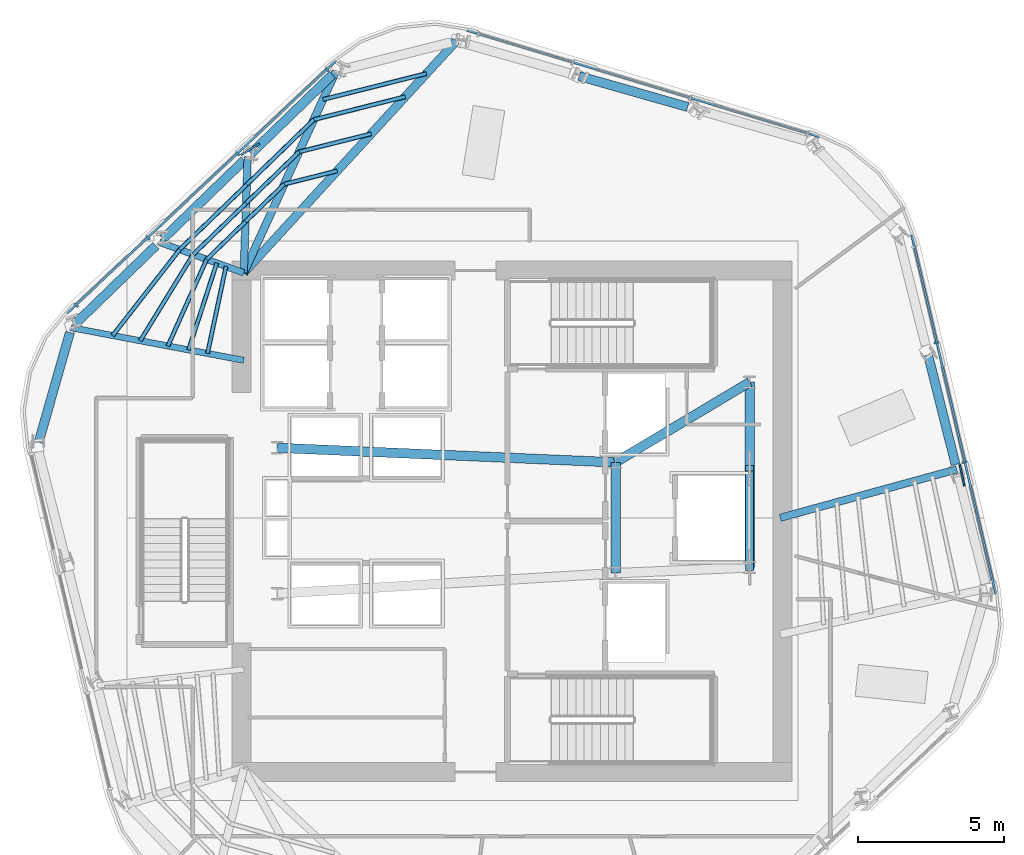
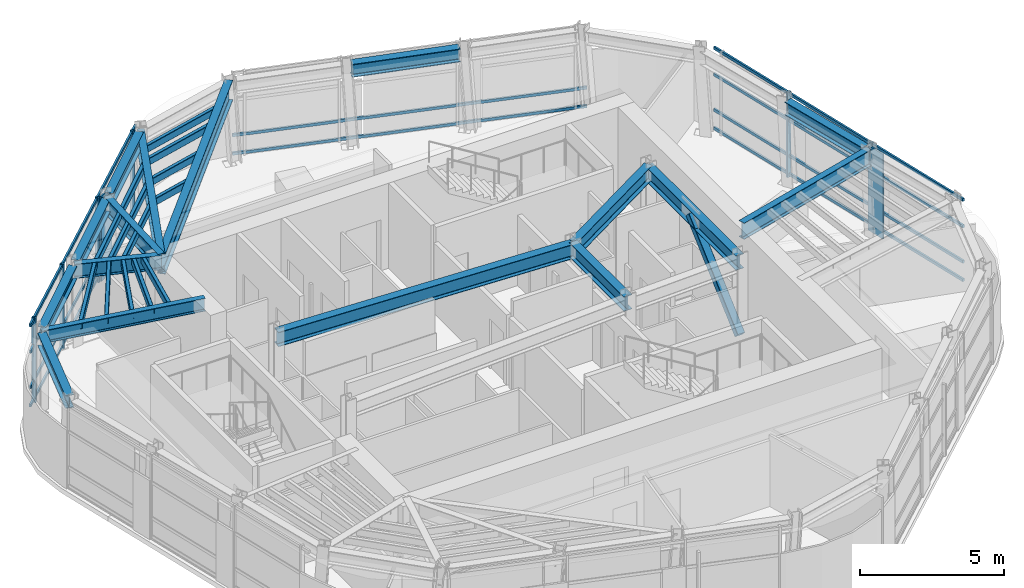
# One storey, part 4 of 14: 34 members, 16 beams, 3 elements without a shape of their own.
"""IFC4 building model written with IfcOpenShell, lengths in metres."""

from ifc_helpers import new_model, si_unit, direction, frame, origin, origin_2d, place, context, subcontext, project, spatial, rectangle, hollow_rectangle, i_section, extrude, material, layer, layer_set, material_profile, profile_set, type_object, element, aggregate, save


model = new_model("IFC4")

# Units and contexts
model_context = context("Model", 3, precision=1e-05, world=origin(), true_north=direction((0.0, 1.0)))
body_context = subcontext(model_context, "Body", "Model", "MODEL_VIEW")
ifc_project = project(units=[si_unit("LENGTHUNIT", "METRE"), si_unit("AREAUNIT", "SQUARE_METRE"), si_unit("VOLUMEUNIT", "CUBIC_METRE"), si_unit("PLANEANGLEUNIT", "RADIAN"), si_unit("MASSUNIT", "GRAM", prefix="KILO")], contexts=[model_context])

# Site, building, storey
site_placement = place(None, origin())
site = spatial("IfcSite", under=ifc_project, at=site_placement, CompositionType="ELEMENT")
building_placement = place(site_placement, origin())
building = spatial("IfcBuilding", under=site, at=building_placement, Name="Valkerne Bourse Tower", CompositionType="ELEMENT")
storey_placement = place(building_placement, frame((0.0, 0.0, 209.39990234375)))
storey = spatial("IfcBuildingStorey", under=building, at=storey_placement, Name="L53", CompositionType="ELEMENT", Elevation=209.39990234375)

# Beams
ifc_material_1 = material(Name="Steel ASTM A992", Category="steel")
ifc_material_profile_1 = material_profile(ifc_material_1, i_section(OverallWidth=0.31494140625, OverallDepth=0.5537109375, WebThickness=0.0166015625, FlangeThickness=0.026123046875, FilletRadius=0.020263671875, at=origin_2d()), Name="W21X132")
ifc_profile_set_1 = profile_set([ifc_material_profile_1], Name="Steel ASTM A992")
beam_type_1 = type_object("IfcBeamType", Name="BM-W21X132", PredefinedType="BEAM", material=ifc_profile_set_1)
for number, where, z_axis, x_axis, name in (
    (1, (52.82568359375, 41.0869140625, 3.3232421875), (-0.961740168998, 0.273963222598, 0.0), (-0.273963222598, -0.961740168998, 0.0), "L53 Hexagonal Spandrel Ring Beam 01"),
    (2, (40.637939453125, 42.193115234375, 3.3232421875), (-0.718117122085, -0.695922265033, 0.0), (0.695922265033, -0.718117122085, 0.0), "L53 Hexagonal Spandrel Ring Beam 04"),
    (3, (37.61328125, 39.261962890625, 3.3232421875), (-0.718117122085, -0.695922265033, 0.0), (0.695922265033, -0.718117122085, 0.0), "L53 Hexagonal Spandrel Ring Beam 05"),
    (4, (34.58837890625, 36.330810546875, 3.3232421875), (-0.718055070553, -0.695986289846, 0.0), (0.695986289846, -0.718055070553, 0.0), "L53 Hexagonal Spandrel Ring Beam 06"),
):
    element("IfcBeam", number, at=place(storey_placement, frame(where, z_axis=z_axis, x_axis=x_axis)), inside=storey, type_object=beam_type_1, Name=name, PredefinedType="BEAM", context=body_context, shape_type="SweptSolid", body=[
        extrude(i_section(OverallWidth=0.31494140625, OverallDepth=0.5537109375, WebThickness=0.0166015625, FlangeThickness=0.026123046875, FilletRadius=0.020263671875, at=origin_2d()), origin(), (0.0, 0.0, 1.0), 3.8720703125),
    ])
beam_1_placement = place(storey_placement, frame((31.639404296875, 33.354248046875, 3.3232421875), z_axis=(-0.273963438109, -0.961740107607, 0.0), x_axis=(0.961740107607, -0.273963438109, 0.0)))
element("IfcBeam", 5, at=beam_1_placement, inside=storey, type_object=beam_type_1, Name="L53 Hexagonal Spandrel Ring Beam 07", PredefinedType="BEAM", context=body_context, shape_type="SweptSolid", body=[
    extrude(i_section(OverallWidth=0.31494140625, OverallDepth=0.5537109375, WebThickness=0.0166015625, FlangeThickness=0.026123046875, FilletRadius=0.020263671875, at=origin_2d()), origin(), (0.0, 0.0, 1.0), 3.915771484375),
])
beam_2_placement = place(storey_placement, frame((62.012451171875, 28.824951171875, 3.3232421875), z_axis=(-0.243633318087, 0.969867416876, 0.0), x_axis=(-0.969867416876, -0.243633318087, 0.0)))
element("IfcBeam", 6, at=beam_2_placement, inside=storey, type_object=beam_type_1, Name="L53 Hexagonal Spandrel Ring Beam 21", PredefinedType="BEAM", context=body_context, shape_type="SweptSolid", body=[
    extrude(i_section(OverallWidth=0.31494140625, OverallDepth=0.5537109375, WebThickness=0.0166015625, FlangeThickness=0.026123046875, FilletRadius=0.020263671875, at=origin_2d()), origin(), (0.0, 0.0, 1.0), 3.8720703125),
])
ifc_material_profile_2 = material_profile(ifc_material_1, i_section(OverallWidth=0.2138671875, OverallDepth=0.548583984375, WebThickness=0.0146484375, FlangeThickness=0.023681640625, FilletRadius=0.017822265625, at=origin_2d()), Name="W21X93")
ifc_profile_set_2 = profile_set([ifc_material_profile_2], Name="Steel ASTM A992")
beam_type_2 = type_object("IfcBeamType", Name="BM-W21X93", PredefinedType="BEAM", material=ifc_profile_set_2)
beam_3_placement = place(storey_placement, frame((31.685791015625, 33.517822265625, 3.32568359375), z_axis=(0.982600667903, -0.185730792913, 0.0), x_axis=(0.185730792913, 0.982600667903, 0.0)))
element("IfcBeam", 7, at=beam_3_placement, inside=storey, type_object=beam_type_2, Name="L53 Radial Composite Floor Beam 07", PredefinedType="BEAM", context=body_context, shape_type="SweptSolid", body=[
    extrude(i_section(OverallWidth=0.2138671875, OverallDepth=0.548583984375, WebThickness=0.0146484375, FlangeThickness=0.023681640625, FilletRadius=0.017822265625, at=origin_2d()), origin(), (0.0, 0.0, 1.0), 6.01904296875),
])
ifc_material_profile_3 = material_profile(ifc_material_1, i_section(OverallWidth=0.3251953125, OverallDepth=0.612060546875, WebThickness=0.0126953125, FlangeThickness=0.01904296875, FilletRadius=0.020263671875, at=origin_2d()), Name="W24X104")
ifc_profile_set_3 = profile_set([ifc_material_profile_3], Name="Steel ASTM A992")
beam_type_3 = type_object("IfcBeamType", Name="BM-W24X104", PredefinedType="BEAM", material=ifc_profile_set_3)
beam_4_placement = place(storey_placement, frame((50.35009765625, 25.10009765625, 3.294189453125), z_axis=(0.0, 1.0, 0.0), x_axis=(-1.0, 0.0, 0.0)))
element("IfcBeam", 8, at=beam_4_placement, inside=storey, type_object=beam_type_3, Name="L53 Core Frame Girder CG-CE", PredefinedType="BEAM", context=body_context, shape_type="SweptSolid", body=[
    extrude(i_section(OverallWidth=0.3251953125, OverallDepth=0.612060546875, WebThickness=0.0126953125, FlangeThickness=0.01904296875, FilletRadius=0.020263671875, at=origin_2d()), origin(), (0.0, 0.0, 1.0), 3.7998046875),
])
beam_5_placement = place(storey_placement, frame((50.35009765625, 28.89990234375, 3.294189453125), z_axis=(0.858307823492, 0.513135148019, 0.0), x_axis=(-0.513135148019, 0.858307823492, 0.0)))
element("IfcBeam", 9, at=beam_5_placement, inside=storey, type_object=beam_type_3, Name="L53 Core Frame Girder CG-NE", PredefinedType="BEAM", context=body_context, shape_type="SweptSolid", body=[
    extrude(i_section(OverallWidth=0.3251953125, OverallDepth=0.612060546875, WebThickness=0.0126953125, FlangeThickness=0.01904296875, FilletRadius=0.020263671875, at=origin_2d()), origin(), (0.0, 0.0, 1.0), 5.359130859375),
])
beam_6_placement = place(storey_placement, frame((54.949951171875, 25.300048828125, 3.294189453125), z_axis=(0.0, 1.0, 0.0), x_axis=(-1.0, 0.0, 0.0)))
element("IfcBeam", 10, at=beam_6_placement, inside=storey, type_object=beam_type_3, Name="L53 Core Frame Girder CG-EE", PredefinedType="BEAM", context=body_context, shape_type="SweptSolid", body=[
    extrude(i_section(OverallWidth=0.3251953125, OverallDepth=0.612060546875, WebThickness=0.0126953125, FlangeThickness=0.01904296875, FilletRadius=0.020263671875, at=origin_2d()), origin(), (0.0, 0.0, 1.0), 6.349853515625),
])
beam_7_placement = place(storey_placement, frame((38.75, 29.39990234375, 3.294189453125), z_axis=(0.999072354402, -0.043063101019, 0.0), x_axis=(0.043063101019, 0.999072354402, 0.0)))
element("IfcBeam", 11, at=beam_7_placement, inside=storey, type_object=beam_type_3, Name="L53 Core Frame Girder CG-NW", PredefinedType="BEAM", context=body_context, shape_type="SweptSolid", body=[
    extrude(i_section(OverallWidth=0.3251953125, OverallDepth=0.612060546875, WebThickness=0.0126953125, FlangeThickness=0.01904296875, FilletRadius=0.020263671875, at=origin_2d()), origin(), (0.0, 0.0, 1.0), 11.61083984375),
])
ifc_material_profile_4 = material_profile(ifc_material_1, i_section(OverallWidth=0.228271484375, OverallDepth=0.607177734375, WebThickness=0.01123046875, FlangeThickness=0.017333984375, FilletRadius=0.017822265625, at=origin_2d()), Name="W24X76")
ifc_profile_set_4 = profile_set([ifc_material_profile_4], Name="Steel ASTM A992")
beam_type_4 = type_object("IfcBeamType", Name="BM-W24X76", PredefinedType="JOIST", material=ifc_profile_set_4)
beam_8_placement = place(storey_placement, frame((34.710693359375, 36.448974609375, 3.29638671875), z_axis=(0.93996258778, -0.341277502297, 0.0), x_axis=(0.341277502297, 0.93996258778, 0.0)))
element("IfcBeam", 12, at=beam_8_placement, inside=storey, type_object=beam_type_4, Name="L53 Radial Composite Floor Beam 06", PredefinedType="JOIST", context=body_context, shape_type="SweptSolid", body=[
    extrude(i_section(OverallWidth=0.228271484375, OverallDepth=0.607177734375, WebThickness=0.01123046875, FlangeThickness=0.017333984375, FilletRadius=0.017822265625, at=origin_2d()), origin(), (0.0, 0.0, 1.0), 3.073974609375),
])
ifc_material_profile_5 = material_profile(ifc_material_1, i_section(OverallWidth=0.255859375, OverallDepth=0.693359375, WebThickness=0.014404296875, FlangeThickness=0.023681640625, FilletRadius=0.02294921875, at=origin_2d()), Name="W27X114")
ifc_profile_set_5 = profile_set([ifc_material_profile_5], Name="Steel ASTM A992")
beam_type_5 = type_object("IfcBeamType", Name="BM-W27X114", PredefinedType="BEAM", material=ifc_profile_set_5)
beam_9_placement = place(storey_placement, frame((37.7353515625, 39.380126953125, 3.25341796875), z_axis=(-0.033961872881, -0.999423129205, 0.0), x_axis=(0.999423129205, -0.033961872881, 0.0)))
element("IfcBeam", 13, at=beam_9_placement, inside=storey, type_object=beam_type_5, Name="L53 Radial Composite Floor Beam 05", PredefinedType="BEAM", context=body_context, shape_type="SweptSolid", body=[
    extrude(i_section(OverallWidth=0.255859375, OverallDepth=0.693359375, WebThickness=0.014404296875, FlangeThickness=0.023681640625, FilletRadius=0.02294921875, at=origin_2d()), origin(), (0.0, 0.0, 1.0), 3.982421875),
])
beam_10_placement = place(storey_placement, frame((62.053955078125, 28.66015625, 3.25341796875), z_axis=(-0.96439580519, -0.264463099378, 0.0), x_axis=(0.264463099378, -0.96439580519, 0.0)))
element("IfcBeam", 14, at=beam_10_placement, inside=storey, type_object=beam_type_5, Name="L53 Radial Composite Floor Beam 21", PredefinedType="BEAM", context=body_context, shape_type="SweptSolid", body=[
    extrude(i_section(OverallWidth=0.255859375, OverallDepth=0.693359375, WebThickness=0.014404296875, FlangeThickness=0.023681640625, FilletRadius=0.02294921875, at=origin_2d()), origin(), (0.0, 0.0, 1.0), 6.27734375),
])
ifc_material_profile_6 = material_profile(ifc_material_1, i_section(OverallWidth=0.26806640625, OverallDepth=0.76953125, WebThickness=0.015625, FlangeThickness=0.025390625, FilletRadius=0.025390625, at=origin_2d()), Name="W30X132")
ifc_profile_set_6 = profile_set([ifc_material_profile_6], Name="Steel ASTM A992")
beam_type_6 = type_object("IfcBeamType", Name="BM-W30X132", PredefinedType="BEAM", material=ifc_profile_set_6)
beam_11_placement = place(storey_placement, frame((40.760009765625, 42.311279296875, 3.21533203125), z_axis=(-0.415806072279, -0.909453302955, 0.0), x_axis=(0.909453302955, -0.415806072279, 0.0)))
element("IfcBeam", 15, at=beam_11_placement, inside=storey, type_object=beam_type_6, Name="L53 Radial Composite Floor Beam 04", PredefinedType="BEAM", context=body_context, shape_type="SweptSolid", body=[
    extrude(i_section(OverallWidth=0.26806640625, OverallDepth=0.76953125, WebThickness=0.015625, FlangeThickness=0.025390625, FilletRadius=0.025390625, at=origin_2d()), origin(), (0.0, 0.0, 1.0), 7.599365234375),
])
ifc_material_profile_7 = material_profile(ifc_material_1, i_section(OverallWidth=0.2919921875, OverallDepth=0.8583984375, WebThickness=0.01708984375, FlangeThickness=0.031005859375, FilletRadius=0.025390625, at=origin_2d()), Name="W33X169")
ifc_profile_set_7 = profile_set([ifc_material_profile_7], Name="Steel ASTM A992")
beam_type_7 = type_object("IfcBeamType", Name="BM-W33X169", PredefinedType="BEAM", material=ifc_profile_set_7)
beam_12_placement = place(storey_placement, frame((44.8876953125, 43.34814453125, 3.1708984375), z_axis=(-0.675810742199, -0.737075193402, 0.0), x_axis=(0.737075193402, -0.675810742199, 0.0)))
element("IfcBeam", 16, at=beam_12_placement, inside=storey, type_object=beam_type_7, Name="L53 Radial Composite Floor Beam 03", PredefinedType="BEAM", context=body_context, shape_type="SweptSolid", body=[
    extrude(i_section(OverallWidth=0.2919921875, OverallDepth=0.8583984375, WebThickness=0.01708984375, FlangeThickness=0.031005859375, FilletRadius=0.025390625, at=origin_2d()), origin(), (0.0, 0.0, 1.0), 10.783447265625),
])

# Curtain wall, members
ifc_material_2 = material(Name="Aluminium AA 6063-T6", Category="aluminium")
ifc_layer = layer(ifc_material_2, 0.239990234375)
ifc_layer_set = layer_set([ifc_layer], Name="Aluminium AA 6063-T6")
curtain_wall_type = type_object("IfcCurtainWallType", Name="CW-04", PredefinedType="NOTDEFINED", material=ifc_layer_set)
curtain_wall_1_placement = place(storey_placement, origin())
curtain_wall_1 = element("IfcCurtainWall", 17, at=curtain_wall_1_placement, inside=storey, type_object=curtain_wall_type, Name="L53 Hexagonal Stick Curtain Wall Face 2", PredefinedType="NOTDEFINED")
ifc_material_profile_8 = material_profile(ifc_material_2, rectangle(XDim=0.074951171875, YDim=0.159912109375, at=origin_2d()), Name="CWM-75X160")
ifc_profile_set_8 = profile_set([ifc_material_profile_8], Name="Aluminium AA 6063-T6")
member_type_1 = type_object("IfcMemberType", Name="CW-MUL-160X75", PredefinedType="MULLION", material=ifc_profile_set_8)
member_1_placement = place(storey_placement, frame((40.46240234375, 42.36474609375, 0.0), z_axis=(0.0, 0.0, 1.0), x_axis=(-0.728968333355, -0.684547419077, 0.0)))
member_1 = element("IfcMember", 18, at=member_1_placement, type_object=member_type_1, Name="CW-L53-F2 Jamb Mullion 00A", PredefinedType="MULLION", context=body_context, shape_type="SweptSolid", body=[
    extrude(rectangle(XDim=0.074951171875, YDim=0.159912109375, at=origin_2d()), origin(), (0.0, 0.0, 1.0), 3.60009765625),
])
member_2_placement = place(storey_placement, frame((37.39208984375, 39.4814453125, 0.0), z_axis=(0.0, 0.0, 1.0), x_axis=(-0.728979458595, -0.684535571717, 0.0)))
member_2 = element("IfcMember", 19, at=member_2_placement, type_object=member_type_1, Name="CW-L53-F2 Jamb Mullion 01A", PredefinedType="MULLION", context=body_context, shape_type="SweptSolid", body=[
    extrude(rectangle(XDim=0.074951171875, YDim=0.159912109375, at=origin_2d()), origin(), (0.0, 0.0, 1.0), 3.60009765625),
])
member_3_placement = place(storey_placement, frame((34.321533203125, 36.59814453125, 0.0), z_axis=(0.0, 0.0, 1.0), x_axis=(-0.728956485952, -0.684560035051, 0.0)))
member_3 = element("IfcMember", 20, at=member_3_placement, type_object=member_type_1, Name="CW-L53-F2 Jamb Mullion 02A", PredefinedType="MULLION", context=body_context, shape_type="SweptSolid", body=[
    extrude(rectangle(XDim=0.074951171875, YDim=0.159912109375, at=origin_2d()), origin(), (0.0, 0.0, 1.0), 3.60009765625),
])
member_4_placement = place(storey_placement, frame((31.863525390625, 34.289794921875, 0.0), z_axis=(0.0, 0.0, 1.0), x_axis=(-0.728956485952, -0.684560035051, 0.0)))
member_4 = element("IfcMember", 21, at=member_4_placement, type_object=member_type_1, Name="CW-L53-F2 Jamb Mullion 02B", PredefinedType="MULLION", context=body_context, shape_type="SweptSolid", body=[
    extrude(rectangle(XDim=0.074951171875, YDim=0.159912109375, at=origin_2d()), origin(), (0.0, 0.0, 1.0), 3.60009765625),
])

curtain_wall_2_placement = place(storey_placement, origin())
curtain_wall_2 = element("IfcCurtainWall", 22, at=curtain_wall_2_placement, inside=storey, type_object=curtain_wall_type, Name="L53 Hexagonal Stick Curtain Wall Face 6", PredefinedType="NOTDEFINED")
member_5_placement = place(storey_placement, frame((62.313232421875, 28.90673828125, 0.0), z_axis=(0.0, 0.0, 1.0), x_axis=(-0.228348506824, 0.973579457174, 0.0)))
member_5 = element("IfcMember", 23, at=member_5_placement, type_object=member_type_1, Name="CW-L53-F6 Jamb Mullion 01A", PredefinedType="MULLION", context=body_context, shape_type="SweptSolid", body=[
    extrude(rectangle(XDim=0.074951171875, YDim=0.159912109375, at=origin_2d()), origin(), (0.0, 0.0, 1.0), 3.60009765625),
])
member_6_placement = place(storey_placement, frame((61.351318359375, 33.007568359375, 0.0), z_axis=(0.0, 0.0, 1.0), x_axis=(-0.228348506824, 0.973579457174, 0.0)))
member_6 = element("IfcMember", 24, at=member_6_placement, type_object=member_type_1, Name="CW-L53-F6 Jamb Mullion 02A", PredefinedType="MULLION", context=body_context, shape_type="SweptSolid", body=[
    extrude(rectangle(XDim=0.074951171875, YDim=0.159912109375, at=origin_2d()), origin(), (0.0, 0.0, 1.0), 3.60009765625),
])

curtain_wall_3_placement = place(storey_placement, origin())
curtain_wall_3 = element("IfcCurtainWall", 25, at=curtain_wall_3_placement, inside=storey, type_object=curtain_wall_type, Name="L53 Hexagonal Stick Curtain Wall Face 1", PredefinedType="NOTDEFINED")
ifc_material_profile_9 = material_profile(ifc_material_2, rectangle(XDim=0.074951171875, YDim=0.1201171875, at=origin_2d()), Name="CWT-75X120")
ifc_profile_set_9 = profile_set([ifc_material_profile_9], Name="Aluminium AA 6063-T6")
member_type_2 = type_object("IfcMemberType", Name="CW-TRN-120X75", PredefinedType="USERDEFINED", material=ifc_profile_set_9)
member_7_placement = place(storey_placement, frame((57.345458984375, 40.068603515625, 0.1201171875), z_axis=(-0.957321759812, 0.289024303807, 0.0), x_axis=(-0.289024303807, -0.957321759812, 0.0)))
member_7 = element("IfcMember", 26, at=member_7_placement, type_object=member_type_2, Name="CW-L53-F1 Continuous Face Transom 1", ObjectType="TRANSOM", PredefinedType="USERDEFINED", context=body_context, shape_type="SweptSolid", body=[
    extrude(rectangle(XDim=0.074951171875, YDim=0.1201171875, at=origin_2d()), origin(), (0.0, 0.0, 1.0), 12.635986328125),
])
member_8_placement = place(storey_placement, frame((57.345458984375, 40.068603515625, 0.900146484375), z_axis=(-0.957321759812, 0.289024303807, 0.0), x_axis=(-0.289024303807, -0.957321759812, 0.0)))
member_8 = element("IfcMember", 27, at=member_8_placement, type_object=member_type_2, Name="CW-L53-F1 Continuous Face Transom 2", ObjectType="TRANSOM", PredefinedType="USERDEFINED", context=body_context, shape_type="SweptSolid", body=[
    extrude(rectangle(XDim=0.074951171875, YDim=0.1201171875, at=origin_2d()), origin(), (0.0, 0.0, 1.0), 12.635986328125),
])
aggregate(curtain_wall_3, [member_7, member_8])

# Member
member_9_placement = place(storey_placement, frame((40.7548828125, 42.666748046875, 0.1201171875), z_axis=(-0.728967559932, -0.684548242688, 0.0), x_axis=(0.684548242688, -0.728967559932, 0.0)))
member_9 = element("IfcMember", 28, at=member_9_placement, type_object=member_type_2, Name="CW-L53-F2 Continuous Face Transom 1", ObjectType="TRANSOM", PredefinedType="USERDEFINED", context=body_context, shape_type="SweptSolid", body=[
    extrude(rectangle(XDim=0.074951171875, YDim=0.1201171875, at=origin_2d()), origin(), (0.0, 0.0, 1.0), 12.635986328125),
])

member_10_placement = place(storey_placement, frame((40.7548828125, 42.666748046875, 0.900146484375), z_axis=(-0.728967559932, -0.684548242688, 0.0), x_axis=(0.684548242688, -0.728967559932, 0.0)))
member_10 = element("IfcMember", 29, at=member_10_placement, type_object=member_type_2, Name="CW-L53-F2 Continuous Face Transom 2", ObjectType="TRANSOM", PredefinedType="USERDEFINED", context=body_context, shape_type="SweptSolid", body=[
    extrude(rectangle(XDim=0.074951171875, YDim=0.1201171875, at=origin_2d()), origin(), (0.0, 0.0, 1.0), 12.635986328125),
])

member_11_placement = place(storey_placement, frame((40.7548828125, 42.666748046875, 2.400146484375), z_axis=(-0.728967559932, -0.684548242688, 0.0), x_axis=(0.684548242688, -0.728967559932, 0.0)))
member_11 = element("IfcMember", 30, at=member_11_placement, type_object=member_type_2, Name="CW-L53-F2 Continuous Face Transom 3", ObjectType="TRANSOM", PredefinedType="USERDEFINED", context=body_context, shape_type="SweptSolid", body=[
    extrude(rectangle(XDim=0.074951171875, YDim=0.1201171875, at=origin_2d()), origin(), (0.0, 0.0, 1.0), 12.635986328125),
])

member_12_placement = place(storey_placement, frame((40.7548828125, 42.666748046875, 3.52001953125), z_axis=(-0.728967559932, -0.684548242688, 0.0), x_axis=(0.684548242688, -0.728967559932, 0.0)))
member_12 = element("IfcMember", 31, at=member_12_placement, type_object=member_type_2, Name="CW-L53-F2 Continuous Face Transom 4", ObjectType="TRANSOM", PredefinedType="USERDEFINED", context=body_context, shape_type="SweptSolid", body=[
    extrude(rectangle(XDim=0.074951171875, YDim=0.1201171875, at=origin_2d()), origin(), (0.0, 0.0, 1.0), 12.635986328125),
])

aggregate(curtain_wall_1, [member_9, member_10, member_11, member_12, member_1, member_2, member_3, member_4])

member_13_placement = place(storey_placement, frame((63.390380859375, 24.40185546875, 0.1201171875), z_axis=(-0.22835758665, 0.973577327499, 0.0), x_axis=(-0.973577327499, -0.22835758665, 0.0)))
member_13 = element("IfcMember", 32, at=member_13_placement, type_object=member_type_2, Name="CW-L53-F6 Continuous Face Transom 1", ObjectType="TRANSOM", PredefinedType="USERDEFINED", context=body_context, shape_type="SweptSolid", body=[
    extrude(rectangle(XDim=0.074951171875, YDim=0.1201171875, at=origin_2d()), origin(), (0.0, 0.0, 1.0), 12.635986328125),
])

member_14_placement = place(storey_placement, frame((63.390380859375, 24.40185546875, 0.900146484375), z_axis=(-0.22835758665, 0.973577327499, 0.0), x_axis=(-0.973577327499, -0.22835758665, 0.0)))
member_14 = element("IfcMember", 33, at=member_14_placement, type_object=member_type_2, Name="CW-L53-F6 Continuous Face Transom 2", ObjectType="TRANSOM", PredefinedType="USERDEFINED", context=body_context, shape_type="SweptSolid", body=[
    extrude(rectangle(XDim=0.074951171875, YDim=0.1201171875, at=origin_2d()), origin(), (0.0, 0.0, 1.0), 12.635986328125),
])

member_15_placement = place(storey_placement, frame((63.390380859375, 24.40185546875, 2.400146484375), z_axis=(-0.22835758665, 0.973577327499, 0.0), x_axis=(-0.973577327499, -0.22835758665, 0.0)))
member_15 = element("IfcMember", 34, at=member_15_placement, type_object=member_type_2, Name="CW-L53-F6 Continuous Face Transom 3", ObjectType="TRANSOM", PredefinedType="USERDEFINED", context=body_context, shape_type="SweptSolid", body=[
    extrude(rectangle(XDim=0.074951171875, YDim=0.1201171875, at=origin_2d()), origin(), (0.0, 0.0, 1.0), 12.635986328125),
])

member_16_placement = place(storey_placement, frame((63.390380859375, 24.40185546875, 3.52001953125), z_axis=(-0.22835758665, 0.973577327499, 0.0), x_axis=(-0.973577327499, -0.22835758665, 0.0)))
member_16 = element("IfcMember", 35, at=member_16_placement, type_object=member_type_2, Name="CW-L53-F6 Continuous Face Transom 4", ObjectType="TRANSOM", PredefinedType="USERDEFINED", context=body_context, shape_type="SweptSolid", body=[
    extrude(rectangle(XDim=0.074951171875, YDim=0.1201171875, at=origin_2d()), origin(), (0.0, 0.0, 1.0), 12.635986328125),
])

aggregate(curtain_wall_2, [member_13, member_14, member_15, member_16, member_5, member_6])

# Members
ifc_material_3 = material(Name="Bronze Anodised Aluminium AA 6063-T6", Category="aluminium")
ifc_material_profile_10 = material_profile(ifc_material_3, rectangle(XDim=0.06494140625, YDim=0.75, at=origin_2d()), Name="FIN-65X750")
ifc_profile_set_10 = profile_set([ifc_material_profile_10], Name="Bronze Anodised Aluminium AA 6063-T6")
member_type_3 = type_object("IfcMemberType", Name="FIN-SOLAR-650", PredefinedType="USERDEFINED", material=ifc_profile_set_10)
for number, where, z_axis, x_axis, name in (
    (36, (37.821533203125, 39.6376953125, 0.004150390625), (0.0, 0.0, 1.0), (-0.521275118007, 0.853388687145, 0.0), "L53 Bronze Anodised Solar Fin F2-01"),
    (37, (62.23388671875, 28.456787109375, 0.004150390625), (0.0, 0.0, 1.0), (0.976143132782, 0.217128036703, 0.0), "L53 Bronze Anodised Solar Fin F6-01"),
):
    element("IfcMember", number, at=place(storey_placement, frame(where, z_axis=z_axis, x_axis=x_axis)), inside=storey, type_object=member_type_3, Name=name, ObjectType="SOLAR_FIN", PredefinedType="USERDEFINED", context=body_context, shape_type="SweptSolid", body=[
        extrude(rectangle(XDim=0.06494140625, YDim=0.75, at=origin_2d()), origin(), (0.0, 0.0, 1.0), 3.592041015625),
    ])
ifc_material_4 = material(Name="Steel ASTM A500 Grade C", Category="steel")
ifc_material_profile_11 = material_profile(ifc_material_4, hollow_rectangle(XDim=0.14990234375, YDim=0.300048828125, WallThickness=0.012451171875, OuterFilletRadius=0.02490234375, at=origin_2d()), Name="HSS300X150X12.5")
ifc_profile_set_11 = profile_set([ifc_material_profile_11], Name="Steel ASTM A500 Grade C")
member_type_4 = type_object("IfcMemberType", Name="MBR-HSS300X150X12.5", PredefinedType="PURLIN", material=ifc_profile_set_11)
member_17_placement = place(storey_placement, frame((36.67529296875, 35.735595703125, 3.440185546875), z_axis=(-0.309084309243, -0.951034641735, 0.0), x_axis=(0.951034641735, -0.309084309243, 0.0)))
element("IfcMember", 38, at=member_17_placement, inside=storey, type_object=member_type_4, Name="L53 Secondary Composite Floor Purlin I-06", PredefinedType="PURLIN", context=body_context, shape_type="SweptSolid", body=[
    extrude(hollow_rectangle(XDim=0.14990234375, YDim=0.300048828125, WallThickness=0.012451171875, OuterFilletRadius=0.02490234375, at=origin_2d()), origin(), (0.0, 0.0, 1.0), 3.131103515625),
])
member_18_placement = place(storey_placement, frame((40.806396484375, 38.897216796875, 3.440185546875), z_axis=(-0.969850336764, -0.243701301346, 0.0), x_axis=(0.243701301346, -0.969850336764, 0.0)))
element("IfcMember", 39, at=member_18_placement, inside=storey, type_object=member_type_4, Name="L53 Secondary Composite Floor Purlin K-03", PredefinedType="PURLIN", context=body_context, shape_type="SweptSolid", body=[
    extrude(hollow_rectangle(XDim=0.14990234375, YDim=0.300048828125, WallThickness=0.012451171875, OuterFilletRadius=0.02490234375, at=origin_2d()), origin(), (0.0, 0.0, 1.0), 1.872314453125),
])
member_19_placement = place(storey_placement, frame((38.990478515625, 38.44091796875, 3.440185546875), z_axis=(-0.718151744203, -0.695886536943, 0.0), x_axis=(0.695886536943, -0.718151744203, 0.0)))
element("IfcMember", 40, at=member_19_placement, inside=storey, type_object=member_type_4, Name="L53 Secondary Composite Floor Purlin K-04", PredefinedType="PURLIN", context=body_context, shape_type="SweptSolid", body=[
    extrude(hollow_rectangle(XDim=0.14990234375, YDim=0.300048828125, WallThickness=0.012451171875, OuterFilletRadius=0.02490234375, at=origin_2d()), origin(), (0.0, 0.0, 1.0), 1.85302734375),
])
member_20_placement = place(storey_placement, frame((37.65966796875, 37.1513671875, 3.440185546875), z_axis=(-0.718149703287, -0.695888643152, 0.0), x_axis=(0.695888643152, -0.718149703287, 0.0)))
element("IfcMember", 41, at=member_20_placement, inside=storey, type_object=member_type_4, Name="L53 Secondary Composite Floor Purlin K-05", PredefinedType="PURLIN", context=body_context, shape_type="SweptSolid", body=[
    extrude(hollow_rectangle(XDim=0.14990234375, YDim=0.300048828125, WallThickness=0.012451171875, OuterFilletRadius=0.02490234375, at=origin_2d()), origin(), (0.0, 0.0, 1.0), 1.853515625),
])
member_21_placement = place(storey_placement, frame((36.32861328125, 35.861572265625, 3.440185546875), z_axis=(-0.408941734639, -0.912560495349, 0.0), x_axis=(0.912560495349, -0.408941734639, 0.0)))
element("IfcMember", 42, at=member_21_placement, inside=storey, type_object=member_type_4, Name="L53 Secondary Composite Floor Purlin K-06", PredefinedType="PURLIN", context=body_context, shape_type="SweptSolid", body=[
    extrude(hollow_rectangle(XDim=0.14990234375, YDim=0.300048828125, WallThickness=0.012451171875, OuterFilletRadius=0.02490234375, at=origin_2d()), origin(), (0.0, 0.0, 1.0), 3.25439453125),
])
member_22_placement = place(storey_placement, frame((43.138671875, 41.440673828125, 3.440185546875), z_axis=(-0.969862129253, -0.24365436635, 0.0), x_axis=(0.24365436635, -0.969862129253, 0.0)))
element("IfcMember", 43, at=member_22_placement, inside=storey, type_object=member_type_4, Name="L53 Secondary Composite Floor Purlin O-03", PredefinedType="PURLIN", context=body_context, shape_type="SweptSolid", body=[
    extrude(hollow_rectangle(XDim=0.14990234375, YDim=0.300048828125, WallThickness=0.012451171875, OuterFilletRadius=0.02490234375, at=origin_2d()), origin(), (0.0, 0.0, 1.0), 3.234375),
])
member_23_placement = place(storey_placement, frame((40.001708984375, 40.652587890625, 3.440185546875), z_axis=(-0.718154457271, -0.695883737058, 0.0), x_axis=(0.695883737058, -0.718154457271, 0.0)))
element("IfcMember", 44, at=member_23_placement, inside=storey, type_object=member_type_4, Name="L53 Secondary Composite Floor Purlin O-04", PredefinedType="PURLIN", context=body_context, shape_type="SweptSolid", body=[
    extrude(hollow_rectangle(XDim=0.14990234375, YDim=0.300048828125, WallThickness=0.012451171875, OuterFilletRadius=0.02490234375, at=origin_2d()), origin(), (0.0, 0.0, 1.0), 3.200927734375),
])
member_24_placement = place(storey_placement, frame((37.702880859375, 38.425048828125, 3.440185546875), z_axis=(-0.718116342336, -0.695923069649, 0.0), x_axis=(0.695923069649, -0.718116342336, 0.0)))
element("IfcMember", 45, at=member_24_placement, inside=storey, type_object=member_type_4, Name="L53 Secondary Composite Floor Purlin O-05", PredefinedType="PURLIN", context=body_context, shape_type="SweptSolid", body=[
    extrude(hollow_rectangle(XDim=0.14990234375, YDim=0.300048828125, WallThickness=0.012451171875, OuterFilletRadius=0.02490234375, at=origin_2d()), origin(), (0.0, 0.0, 1.0), 3.201171875),
])
member_25_placement = place(storey_placement, frame((35.404052734375, 36.197265625, 3.440185546875), z_axis=(-0.614961954359, -0.788556779624, 0.0), x_axis=(0.788556779624, -0.614961954359, 0.0)))
element("IfcMember", 46, at=member_25_placement, inside=storey, type_object=member_type_4, Name="L53 Secondary Composite Floor Purlin O-06", PredefinedType="PURLIN", context=body_context, shape_type="SweptSolid", body=[
    extrude(hollow_rectangle(XDim=0.14990234375, YDim=0.300048828125, WallThickness=0.012451171875, OuterFilletRadius=0.02490234375, at=origin_2d()), origin(), (0.0, 0.0, 1.0), 3.73828125),
])
member_26_placement = place(storey_placement, frame((41.97265625, 40.1689453125, 3.440185546875), z_axis=(-0.969871940391, -0.243615309948, 0.0), x_axis=(0.243615309948, -0.969871940391, 0.0)))
element("IfcMember", 47, at=member_26_placement, inside=storey, type_object=member_type_4, Name="L53 Secondary Composite Floor Purlin Z-03", PredefinedType="PURLIN", context=body_context, shape_type="SweptSolid", body=[
    extrude(hollow_rectangle(XDim=0.14990234375, YDim=0.300048828125, WallThickness=0.012451171875, OuterFilletRadius=0.02490234375, at=origin_2d()), origin(), (0.0, 0.0, 1.0), 2.553466796875),
])
member_27_placement = place(storey_placement, frame((39.49609375, 39.546875, 3.440185546875), z_axis=(-0.718128575414, -0.695910446231, 0.0), x_axis=(0.695910446231, -0.718128575414, 0.0)))
element("IfcMember", 48, at=member_27_placement, inside=storey, type_object=member_type_4, Name="L53 Secondary Composite Floor Purlin Z-04", PredefinedType="PURLIN", context=body_context, shape_type="SweptSolid", body=[
    extrude(hollow_rectangle(XDim=0.14990234375, YDim=0.300048828125, WallThickness=0.012451171875, OuterFilletRadius=0.02490234375, at=origin_2d()), origin(), (0.0, 0.0, 1.0), 2.52734375),
])
member_28_placement = place(storey_placement, frame((37.68115234375, 37.7880859375, 3.440185546875), z_axis=(-0.718081787729, -0.695958724445, 0.0), x_axis=(0.695958724445, -0.718081787729, 0.0)))
element("IfcMember", 49, at=member_28_placement, inside=storey, type_object=member_type_4, Name="L53 Secondary Composite Floor Purlin Z-05", PredefinedType="PURLIN", context=body_context, shape_type="SweptSolid", body=[
    extrude(hollow_rectangle(XDim=0.14990234375, YDim=0.300048828125, WallThickness=0.012451171875, OuterFilletRadius=0.02490234375, at=origin_2d()), origin(), (0.0, 0.0, 1.0), 2.527099609375),
])
member_29_placement = place(storey_placement, frame((35.866455078125, 36.029296875, 3.440185546875), z_axis=(-0.522911694868, -0.852386860158, 0.0), x_axis=(0.852386860158, -0.522911694868, 0.0)))
element("IfcMember", 50, at=member_29_placement, inside=storey, type_object=member_type_4, Name="L53 Secondary Composite Floor Purlin Z-06", PredefinedType="PURLIN", context=body_context, shape_type="SweptSolid", body=[
    extrude(hollow_rectangle(XDim=0.14990234375, YDim=0.300048828125, WallThickness=0.012451171875, OuterFilletRadius=0.02490234375, at=origin_2d()), origin(), (0.0, 0.0, 1.0), 3.470947265625),
])
member_30_placement = place(storey_placement, frame((36.9931640625, 35.620361328125, 3.440185546875), z_axis=(-0.208114156668, -0.978104543387, 0.0), x_axis=(0.978104543387, -0.208114156668, 0.0)))
element("IfcMember", 51, at=member_30_placement, inside=storey, type_object=member_type_4, Name="L53 Secondary Composite Floor Purlin S-06", PredefinedType="PURLIN", context=body_context, shape_type="SweptSolid", body=[
    extrude(hollow_rectangle(XDim=0.14990234375, YDim=0.300048828125, WallThickness=0.012451171875, OuterFilletRadius=0.02490234375, at=origin_2d()), origin(), (0.0, 0.0, 1.0), 3.052490234375),
])
member_31_placement = place(storey_placement, frame((43.8671875, 42.2353515625, 3.440185546875), z_axis=(-0.969871138636, -0.243618501843, 0.0), x_axis=(0.243618501843, -0.969871138636, 0.0)))
element("IfcMember", 52, at=member_31_placement, inside=storey, type_object=member_type_4, Name="L53 Secondary Composite Floor Purlin T-03", PredefinedType="PURLIN", context=body_context, shape_type="SweptSolid", body=[
    extrude(hollow_rectangle(XDim=0.14990234375, YDim=0.300048828125, WallThickness=0.012451171875, OuterFilletRadius=0.02490234375, at=origin_2d()), origin(), (0.0, 0.0, 1.0), 3.659912109375),
])
ifc_material_profile_12 = material_profile(ifc_material_4, hollow_rectangle(XDim=0.300048828125, YDim=0.300048828125, WallThickness=0.012451171875, OuterFilletRadius=0.02490234375, at=origin_2d()), Name="HSS300X300X12.5")
ifc_profile_set_12 = profile_set([ifc_material_profile_12], Name="Steel ASTM A500 Grade C")
member_type_5 = type_object("IfcMemberType", Name="MBR-HSS300X300X12.5", PredefinedType="STRUT", material=ifc_profile_set_12)
member_32_placement = place(storey_placement, frame((54.949951171875, 25.300048828125, 0.22021484375), z_axis=(0.0, 0.741766660352, 0.670658051163), x_axis=(-1.0, 0.0, 0.0)))
element("IfcMember", 53, at=member_32_placement, inside=storey, type_object=member_type_5, Name="L53 Core Service Pier Lateral Brace", PredefinedType="STRUT", context=body_context, shape_type="SweptSolid", body=[
    extrude(hollow_rectangle(XDim=0.300048828125, YDim=0.300048828125, WallThickness=0.012451171875, OuterFilletRadius=0.02490234375, at=origin_2d()), origin(), (0.0, 0.0, 1.0), 4.58349609375),
])

save(model, "model.ifc")
